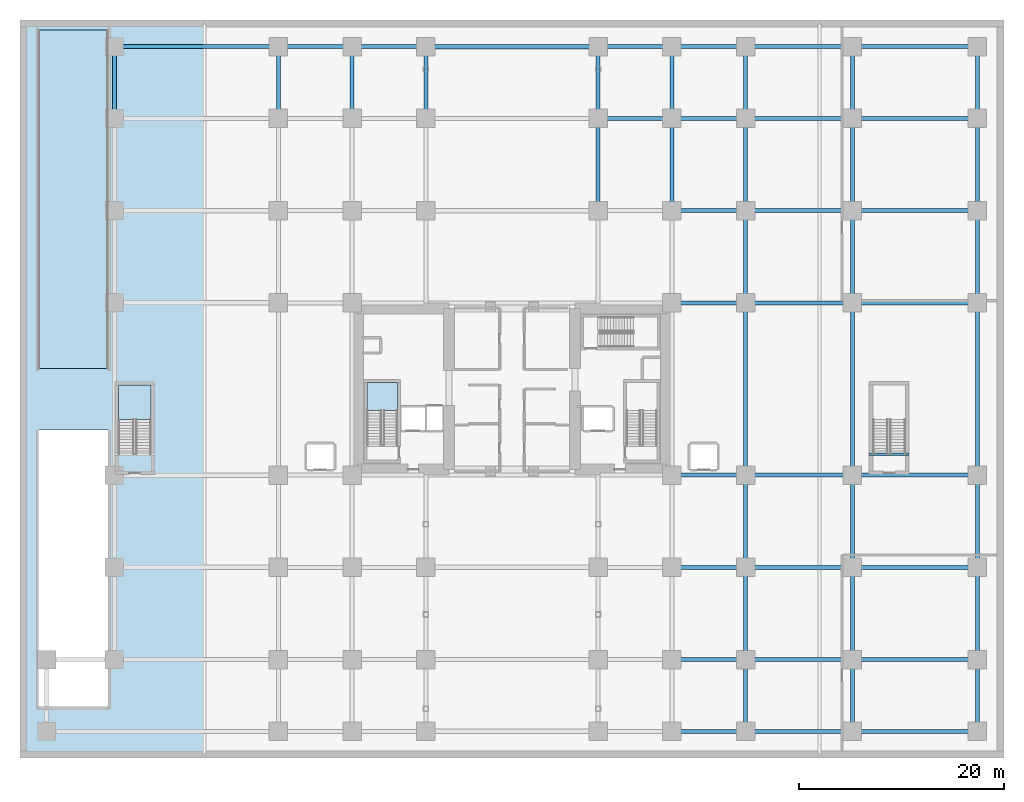
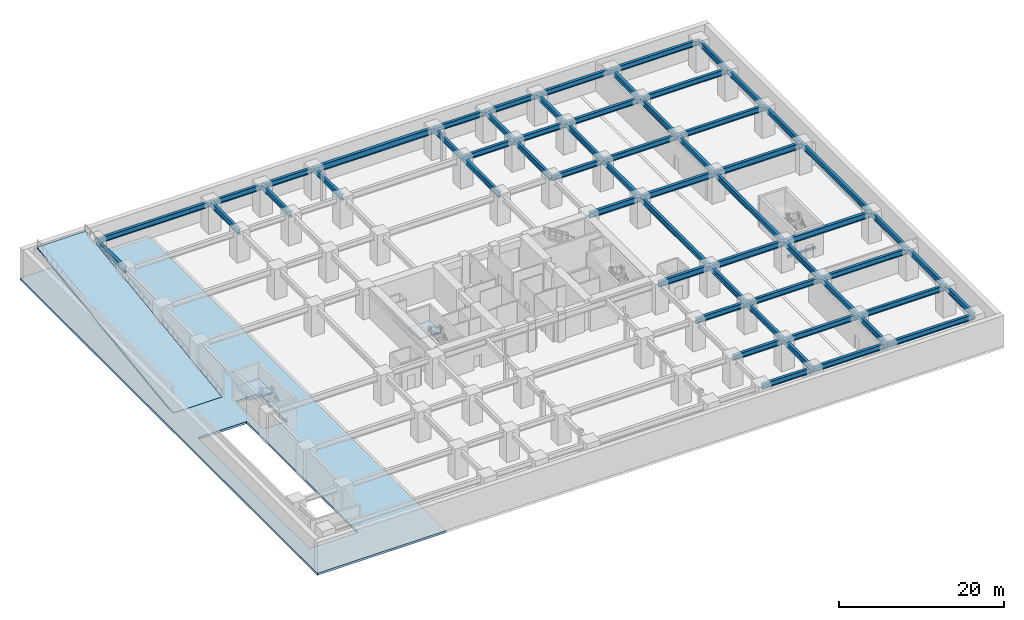
# One storey, part 5 of 20: 60 beams, 4 slabs, 2 elements without a shape of their own.
"""IFC4 building model written with IfcOpenShell, lengths in metres."""

from ifc_helpers import new_model, si_unit, direction, frame, origin, origin_2d, place, context, subcontext, project, spatial, polyline, rectangle, i_section, outline, extrude, material, layer, layer_set, material_profile, profile_set, type_object, element, aggregate, save


model = new_model("IFC4")

# Units and contexts
model_context = context("Model", 3, precision=1e-05, world=origin(), true_north=direction((0.0, 1.0)))
body_context = subcontext(model_context, "Body", "Model", "MODEL_VIEW")
ifc_project = project(units=[si_unit("LENGTHUNIT", "METRE"), si_unit("AREAUNIT", "SQUARE_METRE"), si_unit("VOLUMEUNIT", "CUBIC_METRE"), si_unit("PLANEANGLEUNIT", "RADIAN"), si_unit("MASSUNIT", "GRAM", prefix="KILO")], contexts=[model_context])

# Site, building, storey
site_placement = place(None, origin())
site = spatial("IfcSite", under=ifc_project, at=site_placement, CompositionType="ELEMENT")
building_placement = place(site_placement, origin())
building = spatial("IfcBuilding", under=site, at=building_placement, Name="Kiyonajd Concourse Tower", CompositionType="ELEMENT")
storey_placement = place(building_placement, frame((0.0, 0.0, -4.5)))
storey = spatial("IfcBuildingStorey", under=building, at=storey_placement, Name="B1", CompositionType="ELEMENT", Elevation=-4.5)

# Beams
ifc_material_1 = material(Name="Steel ASTM A992 Grade 50", Category="steel")
ifc_material_profile_1 = material_profile(ifc_material_1, i_section(OverallWidth=0.41796875, OverallDepth=0.912109375, WebThickness=0.019287109375, FlangeThickness=0.031982421875, at=origin_2d()), Name="W920X342")
ifc_profile_set_1 = profile_set([ifc_material_profile_1], Name="Steel ASTM A992 Grade 50")
beam_type_1 = type_object("IfcBeamType", Name="BM-CON-920B", PredefinedType="BEAM", material=ifc_profile_set_1)
beam_1_placement = place(storey_placement, frame((39.60009765625, 69.39990234375, 3.72412109375), z_axis=(1.0, 0.0, 0.0), x_axis=(0.0, 1.0, 0.0)))
element("IfcBeam", 1, at=beam_1_placement, inside=storey, type_object=beam_type_1, Name="B1 Concourse Clear Span Girder", PredefinedType="BEAM", context=body_context, shape_type="SweptSolid", body=[
    extrude(i_section(OverallWidth=0.41796875, OverallDepth=0.912109375, WebThickness=0.019287109375, FlangeThickness=0.031982421875, at=origin_2d()), origin(), (0.0, 0.0, 1.0), 16.7998046875),
])
ifc_material_2 = material(Name="Concrete C50/60", Category="concrete")
ifc_material_profile_2 = material_profile(ifc_material_2, rectangle(XDim=0.239990234375, YDim=0.320068359375, at=origin_2d()), Name="RCBM-240x320")
ifc_profile_set_2 = profile_set([ifc_material_profile_2], Name="Concrete C50/60")
beam_type_2 = type_object("IfcBeamType", Name="BM-LNT-250", PredefinedType="LINTEL", material=ifc_profile_set_2)
beam_2_placement = place(storey_placement, frame((82.85009765625, 29.6298828125, -0.159912109375), z_axis=(1.0, 0.0, 0.0), x_axis=(0.0, 1.0, 0.0)))
element("IfcBeam", 2, at=beam_2_placement, inside=storey, type_object=beam_type_2, Name="B1 Stair ST5 Threshold Support Beam", PredefinedType="LINTEL", context=body_context, shape_type="SweptSolid", body=[
    extrude(rectangle(XDim=0.239990234375, YDim=0.320068359375, at=origin_2d()), origin(), (0.0, 0.0, 1.0), 3.89990234375),
])
ifc_material_profile_3 = material_profile(ifc_material_1, i_section(OverallWidth=0.381103515625, OverallDepth=0.77294921875, WebThickness=0.0166015625, FlangeThickness=0.027099609375, at=origin_2d()), Name="W760X257")
ifc_profile_set_3 = profile_set([ifc_material_profile_3], Name="Steel ASTM A992 Grade 50")
beam_type_3 = type_object("IfcBeamType", Name="BM-POD-760", PredefinedType="BEAM", material=ifc_profile_set_3)
beam_3_placement = place(storey_placement, frame((63.60009765625, 2.60009765625, 3.79345703125), z_axis=(1.0, 0.0, 0.0), x_axis=(0.0, 1.0, 0.0)))
element("IfcBeam", 3, at=beam_3_placement, inside=storey, type_object=beam_type_3, Name="B1 Podium Primary Beam", PredefinedType="BEAM", context=body_context, shape_type="SweptSolid", body=[
    extrude(i_section(OverallWidth=0.381103515625, OverallDepth=0.77294921875, WebThickness=0.0166015625, FlangeThickness=0.027099609375, at=origin_2d()), origin(), (0.0, 0.0, 1.0), 7.199951171875),
])
beam_4_placement = place(storey_placement, frame((70.800048828125, 2.60009765625, 3.79345703125), z_axis=(1.0, 0.0, 0.0), x_axis=(0.0, 1.0, 0.0)))
element("IfcBeam", 4, at=beam_4_placement, inside=storey, type_object=beam_type_3, Name="B1 Podium Primary Beam", PredefinedType="BEAM", context=body_context, shape_type="SweptSolid", body=[
    extrude(i_section(OverallWidth=0.381103515625, OverallDepth=0.77294921875, WebThickness=0.0166015625, FlangeThickness=0.027099609375, at=origin_2d()), origin(), (0.0, 0.0, 1.0), 10.39990234375),
])
beam_5_placement = place(storey_placement, frame((81.199951171875, 2.60009765625, 3.79345703125), z_axis=(1.0, 0.0, 0.0), x_axis=(0.0, 1.0, 0.0)))
element("IfcBeam", 5, at=beam_5_placement, inside=storey, type_object=beam_type_3, Name="B1 Podium Primary Beam", PredefinedType="BEAM", context=body_context, shape_type="SweptSolid", body=[
    extrude(i_section(OverallWidth=0.381103515625, OverallDepth=0.77294921875, WebThickness=0.0166015625, FlangeThickness=0.027099609375, at=origin_2d()), origin(), (0.0, 0.0, 1.0), 12.199951171875),
])
beam_6_placement = place(storey_placement, frame((63.60009765625, 9.60009765625, 3.79345703125), z_axis=(1.0, 0.0, 0.0), x_axis=(0.0, 1.0, 0.0)))
element("IfcBeam", 6, at=beam_6_placement, inside=storey, type_object=beam_type_3, Name="B1 Podium Primary Beam", PredefinedType="BEAM", context=body_context, shape_type="SweptSolid", body=[
    extrude(i_section(OverallWidth=0.381103515625, OverallDepth=0.77294921875, WebThickness=0.0166015625, FlangeThickness=0.027099609375, at=origin_2d()), origin(), (0.0, 0.0, 1.0), 7.199951171875),
])
beam_7_placement = place(storey_placement, frame((70.800048828125, 9.60009765625, 3.79345703125), z_axis=(1.0, 0.0, 0.0), x_axis=(0.0, 1.0, 0.0)))
element("IfcBeam", 7, at=beam_7_placement, inside=storey, type_object=beam_type_3, Name="B1 Podium Primary Beam", PredefinedType="BEAM", context=body_context, shape_type="SweptSolid", body=[
    extrude(i_section(OverallWidth=0.381103515625, OverallDepth=0.77294921875, WebThickness=0.0166015625, FlangeThickness=0.027099609375, at=origin_2d()), origin(), (0.0, 0.0, 1.0), 10.39990234375),
])
beam_8_placement = place(storey_placement, frame((81.199951171875, 9.60009765625, 3.79345703125), z_axis=(1.0, 0.0, 0.0), x_axis=(0.0, 1.0, 0.0)))
element("IfcBeam", 8, at=beam_8_placement, inside=storey, type_object=beam_type_3, Name="B1 Podium Primary Beam", PredefinedType="BEAM", context=body_context, shape_type="SweptSolid", body=[
    extrude(i_section(OverallWidth=0.381103515625, OverallDepth=0.77294921875, WebThickness=0.0166015625, FlangeThickness=0.027099609375, at=origin_2d()), origin(), (0.0, 0.0, 1.0), 12.199951171875),
])
beam_9_placement = place(storey_placement, frame((63.60009765625, 18.60009765625, 3.79345703125), z_axis=(1.0, 0.0, 0.0), x_axis=(0.0, 1.0, 0.0)))
element("IfcBeam", 9, at=beam_9_placement, inside=storey, type_object=beam_type_3, Name="B1 Podium Primary Beam", PredefinedType="BEAM", context=body_context, shape_type="SweptSolid", body=[
    extrude(i_section(OverallWidth=0.381103515625, OverallDepth=0.77294921875, WebThickness=0.0166015625, FlangeThickness=0.027099609375, at=origin_2d()), origin(), (0.0, 0.0, 1.0), 7.199951171875),
])
beam_10_placement = place(storey_placement, frame((70.800048828125, 18.60009765625, 3.79345703125), z_axis=(1.0, 0.0, 0.0), x_axis=(0.0, 1.0, 0.0)))
element("IfcBeam", 10, at=beam_10_placement, inside=storey, type_object=beam_type_3, Name="B1 Podium Primary Beam", PredefinedType="BEAM", context=body_context, shape_type="SweptSolid", body=[
    extrude(i_section(OverallWidth=0.381103515625, OverallDepth=0.77294921875, WebThickness=0.0166015625, FlangeThickness=0.027099609375, at=origin_2d()), origin(), (0.0, 0.0, 1.0), 10.39990234375),
])
beam_11_placement = place(storey_placement, frame((81.199951171875, 18.60009765625, 3.79345703125), z_axis=(1.0, 0.0, 0.0), x_axis=(0.0, 1.0, 0.0)))
element("IfcBeam", 11, at=beam_11_placement, inside=storey, type_object=beam_type_3, Name="B1 Podium Primary Beam", PredefinedType="BEAM", context=body_context, shape_type="SweptSolid", body=[
    extrude(i_section(OverallWidth=0.381103515625, OverallDepth=0.77294921875, WebThickness=0.0166015625, FlangeThickness=0.027099609375, at=origin_2d()), origin(), (0.0, 0.0, 1.0), 12.199951171875),
])
beam_12_placement = place(storey_placement, frame((63.60009765625, 53.39990234375, 3.79345703125), z_axis=(1.0, 0.0, 0.0), x_axis=(0.0, 1.0, 0.0)))
element("IfcBeam", 12, at=beam_12_placement, inside=storey, type_object=beam_type_3, Name="B1 Podium Primary Beam", PredefinedType="BEAM", context=body_context, shape_type="SweptSolid", body=[
    extrude(i_section(OverallWidth=0.381103515625, OverallDepth=0.77294921875, WebThickness=0.0166015625, FlangeThickness=0.027099609375, at=origin_2d()), origin(), (0.0, 0.0, 1.0), 7.199951171875),
])
beam_13_placement = place(storey_placement, frame((70.800048828125, 53.39990234375, 3.79345703125), z_axis=(1.0, 0.0, 0.0), x_axis=(0.0, 1.0, 0.0)))
element("IfcBeam", 13, at=beam_13_placement, inside=storey, type_object=beam_type_3, Name="B1 Podium Primary Beam", PredefinedType="BEAM", context=body_context, shape_type="SweptSolid", body=[
    extrude(i_section(OverallWidth=0.381103515625, OverallDepth=0.77294921875, WebThickness=0.0166015625, FlangeThickness=0.027099609375, at=origin_2d()), origin(), (0.0, 0.0, 1.0), 10.39990234375),
])
beam_14_placement = place(storey_placement, frame((81.199951171875, 53.39990234375, 3.79345703125), z_axis=(1.0, 0.0, 0.0), x_axis=(0.0, 1.0, 0.0)))
element("IfcBeam", 14, at=beam_14_placement, inside=storey, type_object=beam_type_3, Name="B1 Podium Primary Beam", PredefinedType="BEAM", context=body_context, shape_type="SweptSolid", body=[
    extrude(i_section(OverallWidth=0.381103515625, OverallDepth=0.77294921875, WebThickness=0.0166015625, FlangeThickness=0.027099609375, at=origin_2d()), origin(), (0.0, 0.0, 1.0), 12.199951171875),
])
beam_15_placement = place(storey_placement, frame((56.39990234375, 62.39990234375, 3.79345703125), z_axis=(1.0, 0.0, 0.0), x_axis=(0.0, 1.0, 0.0)))
element("IfcBeam", 15, at=beam_15_placement, inside=storey, type_object=beam_type_3, Name="B1 Podium Primary Beam", PredefinedType="BEAM", context=body_context, shape_type="SweptSolid", body=[
    extrude(i_section(OverallWidth=0.381103515625, OverallDepth=0.77294921875, WebThickness=0.0166015625, FlangeThickness=0.027099609375, at=origin_2d()), origin(), (0.0, 0.0, 1.0), 7.2001953125),
])
beam_16_placement = place(storey_placement, frame((63.60009765625, 62.39990234375, 3.79345703125), z_axis=(1.0, 0.0, 0.0), x_axis=(0.0, 1.0, 0.0)))
element("IfcBeam", 16, at=beam_16_placement, inside=storey, type_object=beam_type_3, Name="B1 Podium Primary Beam", PredefinedType="BEAM", context=body_context, shape_type="SweptSolid", body=[
    extrude(i_section(OverallWidth=0.381103515625, OverallDepth=0.77294921875, WebThickness=0.0166015625, FlangeThickness=0.027099609375, at=origin_2d()), origin(), (0.0, 0.0, 1.0), 7.199951171875),
])
beam_17_placement = place(storey_placement, frame((70.800048828125, 62.39990234375, 3.79345703125), z_axis=(1.0, 0.0, 0.0), x_axis=(0.0, 1.0, 0.0)))
element("IfcBeam", 17, at=beam_17_placement, inside=storey, type_object=beam_type_3, Name="B1 Podium Primary Beam", PredefinedType="BEAM", context=body_context, shape_type="SweptSolid", body=[
    extrude(i_section(OverallWidth=0.381103515625, OverallDepth=0.77294921875, WebThickness=0.0166015625, FlangeThickness=0.027099609375, at=origin_2d()), origin(), (0.0, 0.0, 1.0), 10.39990234375),
])
beam_18_placement = place(storey_placement, frame((81.199951171875, 62.39990234375, 3.79345703125), z_axis=(1.0, 0.0, 0.0), x_axis=(0.0, 1.0, 0.0)))
element("IfcBeam", 18, at=beam_18_placement, inside=storey, type_object=beam_type_3, Name="B1 Podium Primary Beam", PredefinedType="BEAM", context=body_context, shape_type="SweptSolid", body=[
    extrude(i_section(OverallWidth=0.381103515625, OverallDepth=0.77294921875, WebThickness=0.0166015625, FlangeThickness=0.027099609375, at=origin_2d()), origin(), (0.0, 0.0, 1.0), 12.199951171875),
])
beam_19_placement = place(storey_placement, frame((9.199951171875, 69.39990234375, 3.79345703125), z_axis=(1.0, 0.0, 0.0), x_axis=(0.0, 1.0, 0.0)))
element("IfcBeam", 19, at=beam_19_placement, inside=storey, type_object=beam_type_3, Name="B1 Podium Primary Beam", PredefinedType="BEAM", context=body_context, shape_type="SweptSolid", body=[
    extrude(i_section(OverallWidth=0.381103515625, OverallDepth=0.77294921875, WebThickness=0.0166015625, FlangeThickness=0.027099609375, at=origin_2d()), origin(), (0.0, 0.0, 1.0), 16.0),
])
beam_20_placement = place(storey_placement, frame((25.199951171875, 69.39990234375, 3.79345703125), z_axis=(1.0, 0.0, 0.0), x_axis=(0.0, 1.0, 0.0)))
element("IfcBeam", 20, at=beam_20_placement, inside=storey, type_object=beam_type_3, Name="B1 Podium Primary Beam", PredefinedType="BEAM", context=body_context, shape_type="SweptSolid", body=[
    extrude(i_section(OverallWidth=0.381103515625, OverallDepth=0.77294921875, WebThickness=0.0166015625, FlangeThickness=0.027099609375, at=origin_2d()), origin(), (0.0, 0.0, 1.0), 7.199951171875),
])
for number, where, z_axis, x_axis, name in (
    (21, (32.39990234375, 69.39990234375, 3.79345703125), (1.0, 0.0, 0.0), (0.0, 1.0, 0.0), "B1 Podium Primary Beam"),
    (22, (56.39990234375, 69.39990234375, 3.79345703125), (1.0, 0.0, 0.0), (0.0, 1.0, 0.0), "B1 Podium Primary Beam"),
):
    element("IfcBeam", number, at=place(storey_placement, frame(where, z_axis=z_axis, x_axis=x_axis)), inside=storey, type_object=beam_type_3, Name=name, PredefinedType="BEAM", context=body_context, shape_type="SweptSolid", body=[
        extrude(i_section(OverallWidth=0.381103515625, OverallDepth=0.77294921875, WebThickness=0.0166015625, FlangeThickness=0.027099609375, at=origin_2d()), origin(), (0.0, 0.0, 1.0), 7.2001953125),
    ])
beam_21_placement = place(storey_placement, frame((63.60009765625, 69.39990234375, 3.79345703125), z_axis=(1.0, 0.0, 0.0), x_axis=(0.0, 1.0, 0.0)))
element("IfcBeam", 23, at=beam_21_placement, inside=storey, type_object=beam_type_3, Name="B1 Podium Primary Beam", PredefinedType="BEAM", context=body_context, shape_type="SweptSolid", body=[
    extrude(i_section(OverallWidth=0.381103515625, OverallDepth=0.77294921875, WebThickness=0.0166015625, FlangeThickness=0.027099609375, at=origin_2d()), origin(), (0.0, 0.0, 1.0), 7.199951171875),
])
beam_22_placement = place(storey_placement, frame((70.800048828125, 69.39990234375, 3.79345703125), z_axis=(1.0, 0.0, 0.0), x_axis=(0.0, 1.0, 0.0)))
element("IfcBeam", 24, at=beam_22_placement, inside=storey, type_object=beam_type_3, Name="B1 Podium Primary Beam", PredefinedType="BEAM", context=body_context, shape_type="SweptSolid", body=[
    extrude(i_section(OverallWidth=0.381103515625, OverallDepth=0.77294921875, WebThickness=0.0166015625, FlangeThickness=0.027099609375, at=origin_2d()), origin(), (0.0, 0.0, 1.0), 10.39990234375),
])
beam_23_placement = place(storey_placement, frame((81.199951171875, 69.39990234375, 3.79345703125), z_axis=(1.0, 0.0, 0.0), x_axis=(0.0, 1.0, 0.0)))
element("IfcBeam", 25, at=beam_23_placement, inside=storey, type_object=beam_type_3, Name="B1 Podium Primary Beam", PredefinedType="BEAM", context=body_context, shape_type="SweptSolid", body=[
    extrude(i_section(OverallWidth=0.381103515625, OverallDepth=0.77294921875, WebThickness=0.0166015625, FlangeThickness=0.027099609375, at=origin_2d()), origin(), (0.0, 0.0, 1.0), 12.199951171875),
])
for number, where, z_axis, x_axis, name in (
    (26, (9.199951171875, 62.39990234375, 3.79345703125), (0.0, 1.0, 0.0), (-1.0, 0.0, 0.0), "B1 Podium North South Beam"),
    (27, (25.199951171875, 62.39990234375, 3.79345703125), (0.0, 1.0, 0.0), (-1.0, 0.0, 0.0), "B1 Podium North South Beam"),
    (28, (32.39990234375, 62.39990234375, 3.79345703125), (0.0, 1.0, 0.0), (-1.0, 0.0, 0.0), "B1 Podium North South Beam"),
    (29, (39.60009765625, 62.39990234375, 3.79345703125), (0.0, 1.0, 0.0), (-1.0, 0.0, 0.0), "B1 Podium North South Beam"),
):
    element("IfcBeam", number, at=place(storey_placement, frame(where, z_axis=z_axis, x_axis=x_axis)), inside=storey, type_object=beam_type_3, Name=name, PredefinedType="BEAM", context=body_context, shape_type="SweptSolid", body=[
        extrude(i_section(OverallWidth=0.381103515625, OverallDepth=0.77294921875, WebThickness=0.0166015625, FlangeThickness=0.027099609375, at=origin_2d()), origin(), (0.0, 0.0, 1.0), 7.0),
    ])
beam_24_placement = place(storey_placement, frame((56.39990234375, 53.39990234375, 3.79345703125), z_axis=(0.0, 1.0, 0.0), x_axis=(-1.0, 0.0, 0.0)))
element("IfcBeam", 30, at=beam_24_placement, inside=storey, type_object=beam_type_3, Name="B1 Podium North South Beam", PredefinedType="BEAM", context=body_context, shape_type="SweptSolid", body=[
    extrude(i_section(OverallWidth=0.381103515625, OverallDepth=0.77294921875, WebThickness=0.0166015625, FlangeThickness=0.027099609375, at=origin_2d()), origin(), (0.0, 0.0, 1.0), 9.0),
])
beam_25_placement = place(storey_placement, frame((56.39990234375, 62.39990234375, 3.79345703125), z_axis=(0.0, 1.0, 0.0), x_axis=(-1.0, 0.0, 0.0)))
element("IfcBeam", 31, at=beam_25_placement, inside=storey, type_object=beam_type_3, Name="B1 Podium North South Beam", PredefinedType="BEAM", context=body_context, shape_type="SweptSolid", body=[
    extrude(i_section(OverallWidth=0.381103515625, OverallDepth=0.77294921875, WebThickness=0.0166015625, FlangeThickness=0.027099609375, at=origin_2d()), origin(), (0.0, 0.0, 1.0), 7.0),
])
beam_26_placement = place(storey_placement, frame((63.60009765625, 53.39990234375, 3.79345703125), z_axis=(0.0, 1.0, 0.0), x_axis=(-1.0, 0.0, 0.0)))
element("IfcBeam", 32, at=beam_26_placement, inside=storey, type_object=beam_type_3, Name="B1 Podium North South Beam", PredefinedType="BEAM", context=body_context, shape_type="SweptSolid", body=[
    extrude(i_section(OverallWidth=0.381103515625, OverallDepth=0.77294921875, WebThickness=0.0166015625, FlangeThickness=0.027099609375, at=origin_2d()), origin(), (0.0, 0.0, 1.0), 9.0),
])
for number, where, z_axis, x_axis, name in (
    (33, (63.60009765625, 62.39990234375, 3.79345703125), (0.0, 1.0, 0.0), (-1.0, 0.0, 0.0), "B1 Podium North South Beam"),
    (34, (70.800048828125, 2.60009765625, 3.79345703125), (0.0, 1.0, 0.0), (-1.0, 0.0, 0.0), "B1 Podium North South Beam"),
):
    element("IfcBeam", number, at=place(storey_placement, frame(where, z_axis=z_axis, x_axis=x_axis)), inside=storey, type_object=beam_type_3, Name=name, PredefinedType="BEAM", context=body_context, shape_type="SweptSolid", body=[
        extrude(i_section(OverallWidth=0.381103515625, OverallDepth=0.77294921875, WebThickness=0.0166015625, FlangeThickness=0.027099609375, at=origin_2d()), origin(), (0.0, 0.0, 1.0), 7.0),
    ])
for number, where, z_axis, x_axis, name in (
    (35, (70.800048828125, 9.60009765625, 3.79345703125), (0.0, 1.0, 0.0), (-1.0, 0.0, 0.0), "B1 Podium North South Beam"),
    (36, (70.800048828125, 18.60009765625, 3.79345703125), (0.0, 1.0, 0.0), (-1.0, 0.0, 0.0), "B1 Podium North South Beam"),
):
    element("IfcBeam", number, at=place(storey_placement, frame(where, z_axis=z_axis, x_axis=x_axis)), inside=storey, type_object=beam_type_3, Name=name, PredefinedType="BEAM", context=body_context, shape_type="SweptSolid", body=[
        extrude(i_section(OverallWidth=0.381103515625, OverallDepth=0.77294921875, WebThickness=0.0166015625, FlangeThickness=0.027099609375, at=origin_2d()), origin(), (0.0, 0.0, 1.0), 9.0),
    ])
beam_27_placement = place(storey_placement, frame((70.800048828125, 27.60009765625, 3.79345703125), z_axis=(0.0, 1.0, 0.0), x_axis=(-1.0, 0.0, 0.0)))
element("IfcBeam", 37, at=beam_27_placement, inside=storey, type_object=beam_type_3, Name="B1 Podium North South Beam", PredefinedType="BEAM", context=body_context, shape_type="SweptSolid", body=[
    extrude(i_section(OverallWidth=0.381103515625, OverallDepth=0.77294921875, WebThickness=0.0166015625, FlangeThickness=0.027099609375, at=origin_2d()), origin(), (0.0, 0.0, 1.0), 16.7998046875),
])
for number, where, z_axis, x_axis, name in (
    (38, (70.800048828125, 44.39990234375, 3.79345703125), (0.0, 1.0, 0.0), (-1.0, 0.0, 0.0), "B1 Podium North South Beam"),
    (39, (70.800048828125, 53.39990234375, 3.79345703125), (0.0, 1.0, 0.0), (-1.0, 0.0, 0.0), "B1 Podium North South Beam"),
):
    element("IfcBeam", number, at=place(storey_placement, frame(where, z_axis=z_axis, x_axis=x_axis)), inside=storey, type_object=beam_type_3, Name=name, PredefinedType="BEAM", context=body_context, shape_type="SweptSolid", body=[
        extrude(i_section(OverallWidth=0.381103515625, OverallDepth=0.77294921875, WebThickness=0.0166015625, FlangeThickness=0.027099609375, at=origin_2d()), origin(), (0.0, 0.0, 1.0), 9.0),
    ])
for number, where, z_axis, x_axis, name in (
    (40, (70.800048828125, 62.39990234375, 3.79345703125), (0.0, 1.0, 0.0), (-1.0, 0.0, 0.0), "B1 Podium North South Beam"),
    (41, (81.199951171875, 2.60009765625, 3.79345703125), (0.0, 1.0, 0.0), (-1.0, 0.0, 0.0), "B1 Podium North South Beam"),
):
    element("IfcBeam", number, at=place(storey_placement, frame(where, z_axis=z_axis, x_axis=x_axis)), inside=storey, type_object=beam_type_3, Name=name, PredefinedType="BEAM", context=body_context, shape_type="SweptSolid", body=[
        extrude(i_section(OverallWidth=0.381103515625, OverallDepth=0.77294921875, WebThickness=0.0166015625, FlangeThickness=0.027099609375, at=origin_2d()), origin(), (0.0, 0.0, 1.0), 7.0),
    ])
for number, where, z_axis, x_axis, name in (
    (42, (81.199951171875, 9.60009765625, 3.79345703125), (0.0, 1.0, 0.0), (-1.0, 0.0, 0.0), "B1 Podium North South Beam"),
    (43, (81.199951171875, 18.60009765625, 3.79345703125), (0.0, 1.0, 0.0), (-1.0, 0.0, 0.0), "B1 Podium North South Beam"),
):
    element("IfcBeam", number, at=place(storey_placement, frame(where, z_axis=z_axis, x_axis=x_axis)), inside=storey, type_object=beam_type_3, Name=name, PredefinedType="BEAM", context=body_context, shape_type="SweptSolid", body=[
        extrude(i_section(OverallWidth=0.381103515625, OverallDepth=0.77294921875, WebThickness=0.0166015625, FlangeThickness=0.027099609375, at=origin_2d()), origin(), (0.0, 0.0, 1.0), 9.0),
    ])
beam_28_placement = place(storey_placement, frame((81.199951171875, 27.60009765625, 3.79345703125), z_axis=(0.0, 1.0, 0.0), x_axis=(-1.0, 0.0, 0.0)))
element("IfcBeam", 44, at=beam_28_placement, inside=storey, type_object=beam_type_3, Name="B1 Podium North South Beam", PredefinedType="BEAM", context=body_context, shape_type="SweptSolid", body=[
    extrude(i_section(OverallWidth=0.381103515625, OverallDepth=0.77294921875, WebThickness=0.0166015625, FlangeThickness=0.027099609375, at=origin_2d()), origin(), (0.0, 0.0, 1.0), 16.7998046875),
])
for number, where, z_axis, x_axis, name in (
    (45, (81.199951171875, 44.39990234375, 3.79345703125), (0.0, 1.0, 0.0), (-1.0, 0.0, 0.0), "B1 Podium North South Beam"),
    (46, (81.199951171875, 53.39990234375, 3.79345703125), (0.0, 1.0, 0.0), (-1.0, 0.0, 0.0), "B1 Podium North South Beam"),
):
    element("IfcBeam", number, at=place(storey_placement, frame(where, z_axis=z_axis, x_axis=x_axis)), inside=storey, type_object=beam_type_3, Name=name, PredefinedType="BEAM", context=body_context, shape_type="SweptSolid", body=[
        extrude(i_section(OverallWidth=0.381103515625, OverallDepth=0.77294921875, WebThickness=0.0166015625, FlangeThickness=0.027099609375, at=origin_2d()), origin(), (0.0, 0.0, 1.0), 9.0),
    ])
for number, where, z_axis, x_axis, name in (
    (47, (81.199951171875, 62.39990234375, 3.79345703125), (0.0, 1.0, 0.0), (-1.0, 0.0, 0.0), "B1 Podium North South Beam"),
    (48, (93.39990234375, 2.60009765625, 3.79345703125), (0.0, 1.0, 0.0), (-1.0, 0.0, 0.0), "B1 Podium North South Beam"),
):
    element("IfcBeam", number, at=place(storey_placement, frame(where, z_axis=z_axis, x_axis=x_axis)), inside=storey, type_object=beam_type_3, Name=name, PredefinedType="BEAM", context=body_context, shape_type="SweptSolid", body=[
        extrude(i_section(OverallWidth=0.381103515625, OverallDepth=0.77294921875, WebThickness=0.0166015625, FlangeThickness=0.027099609375, at=origin_2d()), origin(), (0.0, 0.0, 1.0), 7.0),
    ])
for number, where, z_axis, x_axis, name in (
    (49, (93.39990234375, 9.60009765625, 3.79345703125), (0.0, 1.0, 0.0), (-1.0, 0.0, 0.0), "B1 Podium North South Beam"),
    (50, (93.39990234375, 18.60009765625, 3.79345703125), (0.0, 1.0, 0.0), (-1.0, 0.0, 0.0), "B1 Podium North South Beam"),
):
    element("IfcBeam", number, at=place(storey_placement, frame(where, z_axis=z_axis, x_axis=x_axis)), inside=storey, type_object=beam_type_3, Name=name, PredefinedType="BEAM", context=body_context, shape_type="SweptSolid", body=[
        extrude(i_section(OverallWidth=0.381103515625, OverallDepth=0.77294921875, WebThickness=0.0166015625, FlangeThickness=0.027099609375, at=origin_2d()), origin(), (0.0, 0.0, 1.0), 9.0),
    ])
beam_29_placement = place(storey_placement, frame((93.39990234375, 27.60009765625, 3.79345703125), z_axis=(0.0, 1.0, 0.0), x_axis=(-1.0, 0.0, 0.0)))
element("IfcBeam", 51, at=beam_29_placement, inside=storey, type_object=beam_type_3, Name="B1 Podium North South Beam", PredefinedType="BEAM", context=body_context, shape_type="SweptSolid", body=[
    extrude(i_section(OverallWidth=0.381103515625, OverallDepth=0.77294921875, WebThickness=0.0166015625, FlangeThickness=0.027099609375, at=origin_2d()), origin(), (0.0, 0.0, 1.0), 16.7998046875),
])
for number, where, z_axis, x_axis, name in (
    (52, (93.39990234375, 44.39990234375, 3.79345703125), (0.0, 1.0, 0.0), (-1.0, 0.0, 0.0), "B1 Podium North South Beam"),
    (53, (93.39990234375, 53.39990234375, 3.79345703125), (0.0, 1.0, 0.0), (-1.0, 0.0, 0.0), "B1 Podium North South Beam"),
):
    element("IfcBeam", number, at=place(storey_placement, frame(where, z_axis=z_axis, x_axis=x_axis)), inside=storey, type_object=beam_type_3, Name=name, PredefinedType="BEAM", context=body_context, shape_type="SweptSolid", body=[
        extrude(i_section(OverallWidth=0.381103515625, OverallDepth=0.77294921875, WebThickness=0.0166015625, FlangeThickness=0.027099609375, at=origin_2d()), origin(), (0.0, 0.0, 1.0), 9.0),
    ])
beam_30_placement = place(storey_placement, frame((93.39990234375, 62.39990234375, 3.79345703125), z_axis=(0.0, 1.0, 0.0), x_axis=(-1.0, 0.0, 0.0)))
element("IfcBeam", 54, at=beam_30_placement, inside=storey, type_object=beam_type_3, Name="B1 Podium North South Beam", PredefinedType="BEAM", context=body_context, shape_type="SweptSolid", body=[
    extrude(i_section(OverallWidth=0.381103515625, OverallDepth=0.77294921875, WebThickness=0.0166015625, FlangeThickness=0.027099609375, at=origin_2d()), origin(), (0.0, 0.0, 1.0), 7.0),
])
ifc_material_profile_4 = material_profile(ifc_material_1, i_section(OverallWidth=0.39990234375, OverallDepth=0.85498046875, WebThickness=0.018310546875, FlangeThickness=0.029296875, at=origin_2d()), Name="W840X299")
ifc_profile_set_4 = profile_set([ifc_material_profile_4], Name="Steel ASTM A992 Grade 50")
beam_type_4 = type_object("IfcBeamType", Name="BM-POD-840", PredefinedType="BEAM", material=ifc_profile_set_4)
beam_31_placement = place(storey_placement, frame((63.60009765625, 27.60009765625, 3.75244140625), z_axis=(1.0, 0.0, 0.0), x_axis=(0.0, 1.0, 0.0)))
element("IfcBeam", 55, at=beam_31_placement, inside=storey, type_object=beam_type_4, Name="B1 Podium Primary Beam", PredefinedType="BEAM", context=body_context, shape_type="SweptSolid", body=[
    extrude(i_section(OverallWidth=0.39990234375, OverallDepth=0.85498046875, WebThickness=0.018310546875, FlangeThickness=0.029296875, at=origin_2d()), origin(), (0.0, 0.0, 1.0), 7.199951171875),
])
beam_32_placement = place(storey_placement, frame((70.800048828125, 27.60009765625, 3.75244140625), z_axis=(1.0, 0.0, 0.0), x_axis=(0.0, 1.0, 0.0)))
element("IfcBeam", 56, at=beam_32_placement, inside=storey, type_object=beam_type_4, Name="B1 Podium Primary Beam", PredefinedType="BEAM", context=body_context, shape_type="SweptSolid", body=[
    extrude(i_section(OverallWidth=0.39990234375, OverallDepth=0.85498046875, WebThickness=0.018310546875, FlangeThickness=0.029296875, at=origin_2d()), origin(), (0.0, 0.0, 1.0), 10.39990234375),
])
beam_33_placement = place(storey_placement, frame((81.199951171875, 27.60009765625, 3.75244140625), z_axis=(1.0, 0.0, 0.0), x_axis=(0.0, 1.0, 0.0)))
element("IfcBeam", 57, at=beam_33_placement, inside=storey, type_object=beam_type_4, Name="B1 Podium Primary Beam", PredefinedType="BEAM", context=body_context, shape_type="SweptSolid", body=[
    extrude(i_section(OverallWidth=0.39990234375, OverallDepth=0.85498046875, WebThickness=0.018310546875, FlangeThickness=0.029296875, at=origin_2d()), origin(), (0.0, 0.0, 1.0), 12.199951171875),
])
beam_34_placement = place(storey_placement, frame((63.60009765625, 44.39990234375, 3.75244140625), z_axis=(1.0, 0.0, 0.0), x_axis=(0.0, 1.0, 0.0)))
element("IfcBeam", 58, at=beam_34_placement, inside=storey, type_object=beam_type_4, Name="B1 Podium Primary Beam", PredefinedType="BEAM", context=body_context, shape_type="SweptSolid", body=[
    extrude(i_section(OverallWidth=0.39990234375, OverallDepth=0.85498046875, WebThickness=0.018310546875, FlangeThickness=0.029296875, at=origin_2d()), origin(), (0.0, 0.0, 1.0), 7.199951171875),
])
beam_35_placement = place(storey_placement, frame((70.800048828125, 44.39990234375, 3.75244140625), z_axis=(1.0, 0.0, 0.0), x_axis=(0.0, 1.0, 0.0)))
element("IfcBeam", 59, at=beam_35_placement, inside=storey, type_object=beam_type_4, Name="B1 Podium Primary Beam", PredefinedType="BEAM", context=body_context, shape_type="SweptSolid", body=[
    extrude(i_section(OverallWidth=0.39990234375, OverallDepth=0.85498046875, WebThickness=0.018310546875, FlangeThickness=0.029296875, at=origin_2d()), origin(), (0.0, 0.0, 1.0), 10.39990234375),
])
beam_36_placement = place(storey_placement, frame((81.199951171875, 44.39990234375, 3.75244140625), z_axis=(1.0, 0.0, 0.0), x_axis=(0.0, 1.0, 0.0)))
element("IfcBeam", 60, at=beam_36_placement, inside=storey, type_object=beam_type_4, Name="B1 Podium Primary Beam", PredefinedType="BEAM", context=body_context, shape_type="SweptSolid", body=[
    extrude(i_section(OverallWidth=0.39990234375, OverallDepth=0.85498046875, WebThickness=0.018310546875, FlangeThickness=0.029296875, at=origin_2d()), origin(), (0.0, 0.0, 1.0), 12.199951171875),
])

# Stair, slab
ifc_material_3 = material(Name="Concrete C40/50", Category="concrete")
stair_type_1 = type_object("IfcStairType", Name="ST-DLG-26R", PredefinedType="HALF_TURN_STAIR", material=ifc_material_3)
stair_1_placement = place(storey_placement, origin())
stair_1 = element("IfcStair", 61, at=stair_1_placement, inside=storey, type_object=stair_type_1, Name="B1 Protected Exit Stair ST1", PredefinedType="HALF_TURN_STAIR")
ifc_layer_1 = layer(ifc_material_3, 0.199951171875)
ifc_layer_set_1 = layer_set([ifc_layer_1], Name="Concrete C40/50")
slab_type_1 = type_object("IfcSlabType", Name="SL-LND-200", PredefinedType="LANDING", material=ifc_layer_set_1)
slab_1_placement = place(storey_placement, frame((0.0, 0.0, 2.050048828125)))
slab_1 = element("IfcSlab", 62, at=slab_1_placement, type_object=slab_type_1, Name="ST1 landing 1", PredefinedType="LANDING", context=body_context, shape_type="SweptSolid", body=[
    extrude(outline(polyline([(36.85009765625, 33.909912109375), (36.85009765625, 36.64990234375), (33.85009765625, 36.64990234375), (33.85009765625, 33.909912109375), (36.85009765625, 33.909912109375)])), origin(), (0.0, 0.0, 1.0), 0.199951171875),
])
aggregate(stair_1, [slab_1])

stair_type_2 = type_object("IfcStairType", Name="ST-POD-1500", PredefinedType="HALF_TURN_STAIR", material=ifc_material_3)
stair_2_placement = place(storey_placement, origin())
stair_2 = element("IfcStair", 63, at=stair_2_placement, inside=storey, type_object=stair_type_2, Name="B1 West Podium Exit Stair ST4", PredefinedType="HALF_TURN_STAIR")
slab_2_placement = place(storey_placement, frame((0.0, 0.0, 2.050048828125)))
slab_2 = element("IfcSlab", 64, at=slab_2_placement, type_object=slab_type_1, Name="ST4 landing 1", PredefinedType="LANDING", context=body_context, shape_type="SweptSolid", body=[
    extrude(outline(polyline([(12.800048828125, 33.010009765625), (12.800048828125, 36.39990234375), (9.60009765625, 36.39990234375), (9.60009765625, 33.010009765625), (12.800048828125, 33.010009765625)])), origin(), (0.0, 0.0, 1.0), 0.199951171875),
])
aggregate(stair_2, [slab_2])

# Slabs
ifc_layer_2 = layer(ifc_material_3, 0.320068359375)
ifc_layer_set_2 = layer_set([ifc_layer_2], Name="Concrete C40/50")
slab_type_2 = type_object("IfcSlabType", Name="SL-POD-320", PredefinedType="FLOOR", material=ifc_layer_set_2)
slab_3_placement = place(storey_placement, frame((0.0, 0.0, -0.320068359375)))
element("IfcSlab", 65, at=slab_3_placement, inside=storey, type_object=slab_type_2, Name="B1 West Wing Podium Structural Floor Slab", PredefinedType="FLOOR", context=body_context, shape_type="SweptSolid", body=[
    extrude(outline(polyline([(0.0, 0.0), (17.93994140625, 0.0), (17.93994140625, 72.0), (0.0, 72.0), (0.0, 0.0)]), holes=[polyline([(8.60009765625, 5.0), (1.800048828125, 5.0), (1.800048828125, 32.0), (8.60009765625, 32.0), (8.60009765625, 5.0)]), polyline([(12.800048828125, 29.64990234375), (9.60009765625, 29.64990234375), (9.60009765625, 36.39990234375), (12.800048828125, 36.39990234375), (12.800048828125, 29.64990234375)])]), origin(), (0.0, 0.0, 1.0), 0.320068359375),
])
ifc_layer_3 = layer(ifc_material_3, 0.25)
ifc_layer_set_3 = layer_set([ifc_layer_3], Name="Concrete C40/50")
slab_type_3 = type_object("IfcSlabType", Name="SLB-VRAMP-250", PredefinedType="FLOOR", material=ifc_layer_set_3)
slab_4_placement = place(storey_placement, frame((1.800048828125, 38.0, 0.0), z_axis=(0.0, -0.135113204733, 0.990830168044), x_axis=(1.0, 0.0, 0.0)))
element("IfcSlab", 66, at=slab_4_placement, inside=storey, type_object=slab_type_3, Name="B1 to L01 Car Park Vehicle Ramp Structural Slab", PredefinedType="FLOOR", context=body_context, shape_type="SweptSolid", body=[
    extrude(outline(polyline([(0.0, 0.0), (6.800048828125, 0.0), (6.800048828125, 33.30540496676178), (0.0, 33.30540496676178), (0.0, 0.0)])), origin(), (0.0, 0.0, -1.0), 0.25),
])

save(model, "model.ifc")
